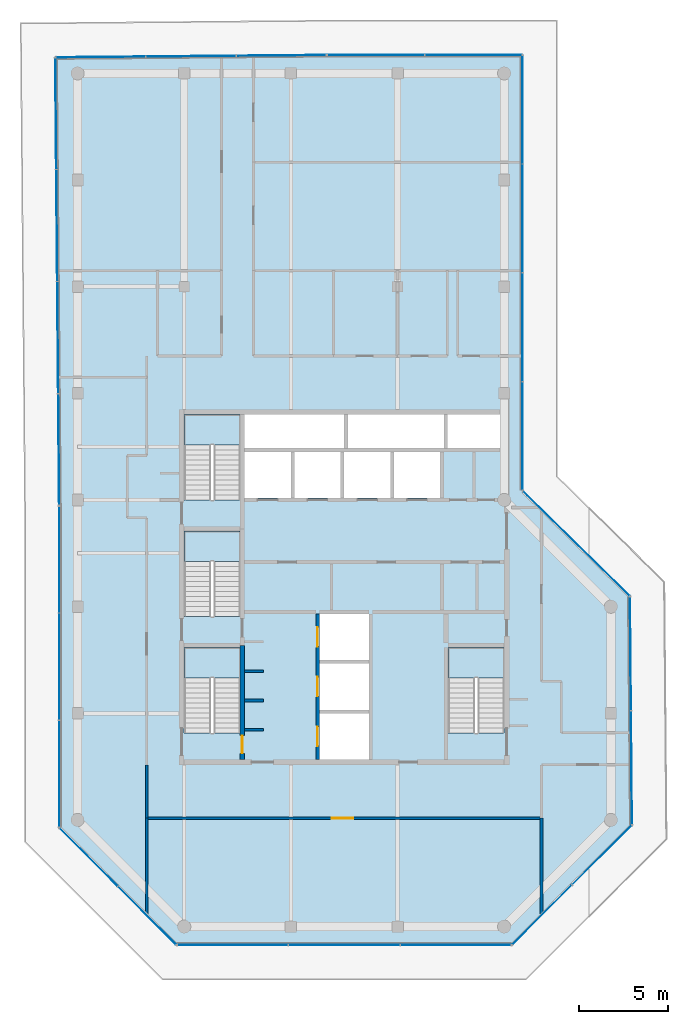
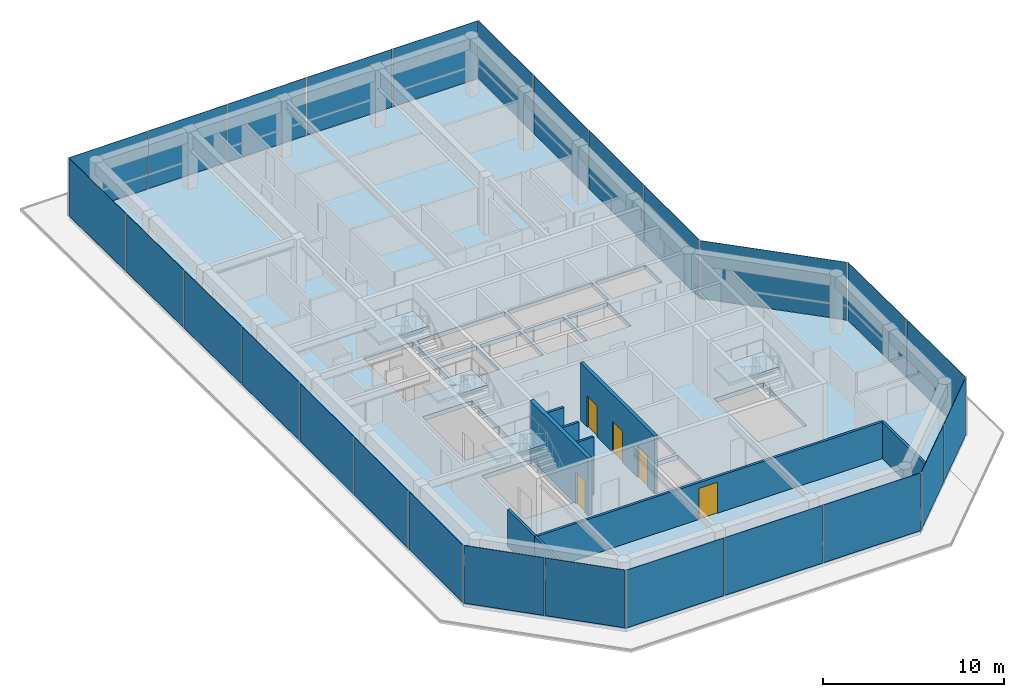
# One storey, part 16 of 21: 26 plates, 9 walls, 5 doors, 5 slabs, 5 openings, 14 elements without a shape of their own.
"""IFC4 building model written with IfcOpenShell, lengths in metres."""

from ifc_helpers import new_model, si_unit, direction, frame, frame_2d, origin, origin_2d, place, context, subcontext, project, spatial, polyline, rectangle, outline, extrude, material, layer, layer_set, type_object, element, fill, aggregate, save


model = new_model("IFC4")

# Units and contexts
model_context = context("Model", 3, precision=1e-05, world=origin(), true_north=direction((0.0, 1.0)))
body_context = subcontext(model_context, "Body", "Model", "MODEL_VIEW")
ifc_project = project(units=[si_unit("LENGTHUNIT", "METRE"), si_unit("AREAUNIT", "SQUARE_METRE"), si_unit("VOLUMEUNIT", "CUBIC_METRE"), si_unit("PLANEANGLEUNIT", "RADIAN"), si_unit("MASSUNIT", "GRAM", prefix="KILO")], contexts=[model_context])

# Site, building, storey
site_placement = place(None, origin())
site = spatial("IfcSite", under=ifc_project, at=site_placement, CompositionType="ELEMENT")
building_placement = place(site_placement, origin())
building = spatial("IfcBuilding", under=site, at=building_placement, Name="Welwitschia Terrace Campus", CompositionType="ELEMENT")
storey_placement = place(building_placement, frame((0.0, 0.0, 331.39990234375)))
storey = spatial("IfcBuildingStorey", under=building, at=storey_placement, Name="L74", CompositionType="ELEMENT", Elevation=331.39990234375)

# Curtain wall, plates
ifc_material_1 = material(Name="Bronze anodised aluminium", Category="aluminium")
ifc_layer_1 = layer(ifc_material_1, 0.10009765625)
ifc_layer_set_1 = layer_set([ifc_layer_1], Name="Bronze anodised aluminium")
curtain_wall_type = type_object("IfcCurtainWallType", Name="Curtain wall CW5 crown 6000", PredefinedType="NOTDEFINED", material=ifc_layer_set_1)
curtain_wall_1_placement = place(storey_placement, origin())
curtain_wall_1 = element("IfcCurtainWall", 1, at=curtain_wall_1_placement, inside=storey, type_object=curtain_wall_type, Name="CW L74.0.0", PredefinedType="NOTDEFINED")
ifc_material_2 = material(Name="Tinted bronze-grey glass", Category="glass")
ifc_layer_2 = layer(ifc_material_2, 0.02392578125)
ifc_layer_set_2 = layer_set([ifc_layer_2], Name="Tinted bronze-grey glass")
plate_type = type_object("IfcPlateType", Name="Glass panel 24 tinted", PredefinedType="CURTAIN_PANEL", material=ifc_layer_set_2)
plate_1_placement = place(storey_placement, frame((-1.222412109375, 41.732421875, 0.000244140625), z_axis=(0.0, 0.0, 1.0), x_axis=(0.008726535498, -0.999961923064, 0.0)))
plate_1 = element("IfcPlate", 2, at=plate_1_placement, type_object=plate_type, Name="Panel L74.0.0.0", PredefinedType="CURTAIN_PANEL", context=body_context, shape_type="SweptSolid", body=[
    extrude(rectangle(XDim=6.22900390625, YDim=0.02392578125, at=origin_2d()), origin(), (0.0, 0.0, 1.0), 3.89990234375),
])
plate_2_placement = place(storey_placement, frame((-1.16748046875, 35.441162109375, 0.000244140625), z_axis=(0.0, 0.0, 1.0), x_axis=(0.008726535498, -0.999961923064, 0.0)))
plate_2 = element("IfcPlate", 3, at=plate_2_placement, type_object=plate_type, Name="Panel L74.0.0.1", PredefinedType="CURTAIN_PANEL", context=body_context, shape_type="SweptSolid", body=[
    extrude(rectangle(XDim=6.25390625, YDim=0.02392578125, at=origin_2d()), origin(), (0.0, 0.0, 1.0), 3.89990234375),
])
plate_3_placement = place(storey_placement, frame((-1.112548828125, 29.137451171875, 0.000244140625), z_axis=(0.0, 0.0, 1.0), x_axis=(0.008726535498, -0.999961923064, 0.0)))
plate_3 = element("IfcPlate", 4, at=plate_3_placement, type_object=plate_type, Name="Panel L74.0.0.2", PredefinedType="CURTAIN_PANEL", context=body_context, shape_type="SweptSolid", body=[
    extrude(rectangle(XDim=6.25390625, YDim=0.02392578125, at=origin_2d()), origin(), (0.0, 0.0, 1.0), 3.89990234375),
])
plate_4_placement = place(storey_placement, frame((-1.0576171875, 22.84619140625, 0.000244140625), z_axis=(0.0, 0.0, 1.0), x_axis=(0.008726535498, -0.999961923064, 0.0)))
plate_4 = element("IfcPlate", 5, at=plate_4_placement, type_object=plate_type, Name="Panel L74.0.0.3", PredefinedType="CURTAIN_PANEL", context=body_context, shape_type="SweptSolid", body=[
    extrude(rectangle(XDim=6.22900390625, YDim=0.02392578125, at=origin_2d()), origin(), (0.0, 0.0, 1.0), 3.89990234375),
])
aggregate(curtain_wall_1, [plate_1, plate_2, plate_3, plate_4])

curtain_wall_2_placement = place(storey_placement, origin())
curtain_wall_2 = element("IfcCurtainWall", 6, at=curtain_wall_2_placement, inside=storey, type_object=curtain_wall_type, Name="CW L74.1.0", PredefinedType="NOTDEFINED")
plate_5_placement = place(storey_placement, frame((-1.030029296875, 16.651123046875, 0.000244140625), z_axis=(0.0, 0.0, 1.0), x_axis=(0.0, -1.0, 0.0)))
plate_5 = element("IfcPlate", 7, at=plate_5_placement, type_object=plate_type, Name="Panel L74.1.0.0", PredefinedType="CURTAIN_PANEL", context=body_context, shape_type="SweptSolid", body=[
    extrude(rectangle(XDim=5.961181640625, YDim=0.02392578125, at=origin_2d()), origin(), (0.0, 0.0, 1.0), 3.89990234375),
])
plate_6_placement = place(storey_placement, frame((-1.030029296875, 10.627685546875, 0.000244140625), z_axis=(0.0, 0.0, 1.0), x_axis=(0.0, -1.0, 0.0)))
plate_6 = element("IfcPlate", 8, at=plate_6_placement, type_object=plate_type, Name="Panel L74.1.0.1", PredefinedType="CURTAIN_PANEL", context=body_context, shape_type="SweptSolid", body=[
    extrude(rectangle(XDim=5.986083984375, YDim=0.02392578125, at=origin_2d()), origin(), (0.0, 0.0, 1.0), 3.89990234375),
])
plate_7_placement = place(storey_placement, frame((-1.030029296875, 4.60400390625, 0.000244140625), z_axis=(0.0, 0.0, 1.0), x_axis=(0.0, -1.0, 0.0)))
plate_7 = element("IfcPlate", 9, at=plate_7_placement, type_object=plate_type, Name="Panel L74.1.0.2", PredefinedType="CURTAIN_PANEL", context=body_context, shape_type="SweptSolid", body=[
    extrude(rectangle(XDim=5.961181640625, YDim=0.02392578125, at=origin_2d()), origin(), (0.0, 0.0, 1.0), 3.89990234375),
])
aggregate(curtain_wall_2, [plate_5, plate_6, plate_7])

curtain_wall_3_placement = place(storey_placement, origin())
curtain_wall_3 = element("IfcCurtainWall", 10, at=curtain_wall_3_placement, inside=storey, type_object=curtain_wall_type, Name="CW L74.2.0", PredefinedType="NOTDEFINED")
plate_8_placement = place(storey_placement, frame((0.629638671875, -0.08642578125, 0.000244140625), z_axis=(0.0, 0.0, 1.0), x_axis=(0.707106781187, -0.707106781187, 0.0)))
plate_8 = element("IfcPlate", 11, at=plate_8_placement, type_object=plate_type, Name="Panel L74.2.0.0", PredefinedType="CURTAIN_PANEL", context=body_context, shape_type="SweptSolid", body=[
    extrude(rectangle(XDim=4.59423828125, YDim=0.02392578125, at=origin_2d()), origin(), (0.0, 0.0, 1.0), 3.89990234375),
])
plate_9_placement = place(storey_placement, frame((3.91357421875, -3.370361328125, 0.000244140625), z_axis=(0.0, 0.0, 1.0), x_axis=(0.707106781187, -0.707106781187, 0.0)))
plate_9 = element("IfcPlate", 12, at=plate_9_placement, type_object=plate_type, Name="Panel L74.2.0.1", PredefinedType="CURTAIN_PANEL", context=body_context, shape_type="SweptSolid", body=[
    extrude(rectangle(XDim=4.59423828125, YDim=0.02392578125, at=origin_2d()), origin(), (0.0, 0.0, 1.0), 3.89990234375),
])
aggregate(curtain_wall_3, [plate_8, plate_9])

curtain_wall_4_placement = place(storey_placement, origin())
curtain_wall_4 = element("IfcCurtainWall", 13, at=curtain_wall_4_placement, inside=storey, type_object=curtain_wall_type, Name="CW L74.3.0", PredefinedType="NOTDEFINED")
plate_10_placement = place(storey_placement, frame((8.72802734375, -5.030029296875, 0.000244140625), z_axis=(0.0, 0.0, 1.0), x_axis=(1.0, 0.0, 0.0)))
plate_10 = element("IfcPlate", 14, at=plate_10_placement, type_object=plate_type, Name="Panel L74.3.0.0", PredefinedType="CURTAIN_PANEL", context=body_context, shape_type="SweptSolid", body=[
    extrude(rectangle(XDim=6.20947265625, YDim=0.02392578125, at=origin_2d()), origin(), (0.0, 0.0, 1.0), 3.89990234375),
])
plate_11_placement = place(storey_placement, frame((15.0, -5.030029296875, 0.000244140625), z_axis=(0.0, 0.0, 1.0), x_axis=(1.0, 0.0, 0.0)))
plate_11 = element("IfcPlate", 15, at=plate_11_placement, type_object=plate_type, Name="Panel L74.3.0.1", PredefinedType="CURTAIN_PANEL", context=body_context, shape_type="SweptSolid", body=[
    extrude(rectangle(XDim=6.234375, YDim=0.02392578125, at=origin_2d()), origin(), (0.0, 0.0, 1.0), 3.89990234375),
])
plate_12_placement = place(storey_placement, frame((21.27197265625, -5.030029296875, 0.000244140625), z_axis=(0.0, 0.0, 1.0), x_axis=(1.0, 0.0, 0.0)))
plate_12 = element("IfcPlate", 16, at=plate_12_placement, type_object=plate_type, Name="Panel L74.3.0.2", PredefinedType="CURTAIN_PANEL", context=body_context, shape_type="SweptSolid", body=[
    extrude(rectangle(XDim=6.20947265625, YDim=0.02392578125, at=origin_2d()), origin(), (0.0, 0.0, 1.0), 3.89990234375),
])
aggregate(curtain_wall_4, [plate_10, plate_11, plate_12])

curtain_wall_5_placement = place(storey_placement, origin())
curtain_wall_5 = element("IfcCurtainWall", 17, at=curtain_wall_5_placement, inside=storey, type_object=curtain_wall_type, Name="CW L74.4.0", PredefinedType="NOTDEFINED")
plate_13_placement = place(storey_placement, frame((26.125732421875, -3.333251953125, 0.000244140625), z_axis=(0.0, 0.0, 1.0), x_axis=(0.707625023867, 0.706588158404, 0.0)))
plate_13 = element("IfcPlate", 18, at=plate_13_placement, type_object=plate_type, Name="Panel L74.4.0.0", PredefinedType="CURTAIN_PANEL", context=body_context, shape_type="SweptSolid", body=[
    extrude(rectangle(XDim=4.702392578125, YDim=0.02392578125, at=origin_2d()), origin(), (0.0, 0.0, 1.0), 3.89990234375),
])
plate_14_placement = place(storey_placement, frame((29.48876953125, 0.024658203125, 0.000244140625), z_axis=(0.0, 0.0, 1.0), x_axis=(0.707625023867, 0.706588158404, 0.0)))
plate_14 = element("IfcPlate", 19, at=plate_14_placement, type_object=plate_type, Name="Panel L74.4.0.1", PredefinedType="CURTAIN_PANEL", context=body_context, shape_type="SweptSolid", body=[
    extrude(rectangle(XDim=4.702392578125, YDim=0.02392578125, at=origin_2d()), origin(), (0.0, 0.0, 1.0), 3.89990234375),
])
aggregate(curtain_wall_5, [plate_13, plate_14])

curtain_wall_6_placement = place(storey_placement, origin())
curtain_wall_6 = element("IfcCurtainWall", 20, at=curtain_wall_6_placement, inside=storey, type_object=curtain_wall_type, Name="CW L74.5.0", PredefinedType="NOTDEFINED")
plate_15_placement = place(storey_placement, frame((31.159912109375, 4.947265625, 0.000244140625), z_axis=(0.0, 0.0, 1.0), x_axis=(-0.008726535498, 0.999961923064, 0.0)))
plate_15 = element("IfcPlate", 21, at=plate_15_placement, type_object=plate_type, Name="Panel L74.5.0.0", PredefinedType="CURTAIN_PANEL", context=body_context, shape_type="SweptSolid", body=[
    extrude(rectangle(XDim=6.351806640625, YDim=0.02392578125, at=origin_2d()), origin(), (0.0, 0.0, 1.0), 3.89990234375),
])
plate_16_placement = place(storey_placement, frame((31.10400390625, 11.3486328125, 0.000244140625), z_axis=(0.0, 0.0, 1.0), x_axis=(-0.008726535498, 0.999961923064, 0.0)))
plate_16 = element("IfcPlate", 22, at=plate_16_placement, type_object=plate_type, Name="Panel L74.5.0.1", PredefinedType="CURTAIN_PANEL", context=body_context, shape_type="SweptSolid", body=[
    extrude(rectangle(XDim=6.351806640625, YDim=0.02392578125, at=origin_2d()), origin(), (0.0, 0.0, 1.0), 3.89990234375),
])
aggregate(curtain_wall_6, [plate_15, plate_16])

# Curtain wall, plate
curtain_wall_7_placement = place(storey_placement, origin())
curtain_wall_7 = element("IfcCurtainWall", 23, at=curtain_wall_7_placement, inside=storey, type_object=curtain_wall_type, Name="CW L74.6.0", PredefinedType="NOTDEFINED")
plate_17_placement = place(storey_placement, frame((28.052978515625, 17.544921875, 0.000244140625), z_axis=(0.0, 0.0, 1.0), x_axis=(-0.713250449154, 0.7009092643, 0.0)))
plate_17 = element("IfcPlate", 24, at=plate_17_placement, type_object=plate_type, Name="Panel L74.6.0.0", PredefinedType="CURTAIN_PANEL", context=body_context, shape_type="SweptSolid", body=[
    extrude(rectangle(XDim=8.37646484375, YDim=0.02392578125, at=origin_2d()), origin(), (0.0, 0.0, 1.0), 3.89990234375),
])
aggregate(curtain_wall_7, [plate_17])

# Curtain wall, plates
curtain_wall_8_placement = place(storey_placement, origin())
curtain_wall_8 = element("IfcCurtainWall", 25, at=curtain_wall_8_placement, inside=storey, type_object=curtain_wall_type, Name="CW L74.7.0", PredefinedType="NOTDEFINED")
plate_18_placement = place(storey_placement, frame((25.030029296875, 23.59228515625, 0.000244140625), z_axis=(0.0, 0.0, 1.0), x_axis=(0.0, 1.0, 0.0)))
plate_18 = element("IfcPlate", 26, at=plate_18_placement, type_object=plate_type, Name="Panel L74.7.0.0", PredefinedType="CURTAIN_PANEL", context=body_context, shape_type="SweptSolid", body=[
    extrude(rectangle(XDim=6.0537109375, YDim=0.02392578125, at=origin_2d()), origin(), (0.0, 0.0, 1.0), 3.89990234375),
])
plate_19_placement = place(storey_placement, frame((25.030029296875, 29.70849609375, 0.000244140625), z_axis=(0.0, 0.0, 1.0), x_axis=(0.0, 1.0, 0.0)))
plate_19 = element("IfcPlate", 27, at=plate_19_placement, type_object=plate_type, Name="Panel L74.7.0.1", PredefinedType="CURTAIN_PANEL", context=body_context, shape_type="SweptSolid", body=[
    extrude(rectangle(XDim=6.07861328125, YDim=0.02392578125, at=origin_2d()), origin(), (0.0, 0.0, 1.0), 3.89990234375),
])
plate_20_placement = place(storey_placement, frame((25.030029296875, 35.837158203125, 0.000244140625), z_axis=(0.0, 0.0, 1.0), x_axis=(0.0, 1.0, 0.0)))
plate_20 = element("IfcPlate", 28, at=plate_20_placement, type_object=plate_type, Name="Panel L74.7.0.2", PredefinedType="CURTAIN_PANEL", context=body_context, shape_type="SweptSolid", body=[
    extrude(rectangle(XDim=6.07861328125, YDim=0.02392578125, at=origin_2d()), origin(), (0.0, 0.0, 1.0), 3.89990234375),
])
plate_21_placement = place(storey_placement, frame((25.030029296875, 41.953125, 0.000244140625), z_axis=(0.0, 0.0, 1.0), x_axis=(0.0, 1.0, 0.0)))
plate_21 = element("IfcPlate", 29, at=plate_21_placement, type_object=plate_type, Name="Panel L74.7.0.3", PredefinedType="CURTAIN_PANEL", context=body_context, shape_type="SweptSolid", body=[
    extrude(rectangle(XDim=6.0537109375, YDim=0.02392578125, at=origin_2d()), origin(), (0.0, 0.0, 1.0), 3.89990234375),
])
aggregate(curtain_wall_8, [plate_18, plate_19, plate_20, plate_21])

curtain_wall_9_placement = place(storey_placement, origin())
curtain_wall_9 = element("IfcCurtainWall", 30, at=curtain_wall_9_placement, inside=storey, type_object=curtain_wall_type, Name="CW L74.8.0", PredefinedType="NOTDEFINED")
plate_22_placement = place(storey_placement, frame((22.26318359375, 45.030029296875, 0.000244140625), z_axis=(0.0, 0.0, 1.0), x_axis=(-1.0, 0.0, 0.0)))
plate_22 = element("IfcPlate", 31, at=plate_22_placement, type_object=plate_type, Name="Panel L74.8.0.0", PredefinedType="CURTAIN_PANEL", context=body_context, shape_type="SweptSolid", body=[
    extrude(rectangle(XDim=5.43359375, YDim=0.02392578125, at=origin_2d()), origin(), (0.0, 0.0, 1.0), 3.89990234375),
])
plate_23_placement = place(storey_placement, frame((16.779541015625, 45.030029296875, 0.000244140625), z_axis=(0.0, 0.0, 1.0), x_axis=(-1.0, 0.0, 0.0)))
plate_23 = element("IfcPlate", 32, at=plate_23_placement, type_object=plate_type, Name="Panel L74.8.0.1", PredefinedType="CURTAIN_PANEL", context=body_context, shape_type="SweptSolid", body=[
    extrude(rectangle(XDim=5.43359375, YDim=0.02392578125, at=origin_2d()), origin(), (0.0, 0.0, 1.0), 3.89990234375),
])
aggregate(curtain_wall_9, [plate_22, plate_23])

curtain_wall_10_placement = place(storey_placement, origin())
curtain_wall_10 = element("IfcCurtainWall", 33, at=curtain_wall_10_placement, inside=storey, type_object=curtain_wall_type, Name="CW L74.9.0", PredefinedType="NOTDEFINED")
plate_24_placement = place(storey_placement, frame((11.45654296875, 45.0078125, 0.000244140625), z_axis=(0.0, 0.0, 1.0), x_axis=(-0.999961923064, -0.008726535498, 0.0)))
plate_24 = element("IfcPlate", 34, at=plate_24_placement, type_object=plate_type, Name="Panel L74.9.0.0", PredefinedType="CURTAIN_PANEL", context=body_context, shape_type="SweptSolid", body=[
    extrude(rectangle(XDim=5.0126953125, YDim=0.02392578125, at=origin_2d()), origin(), (0.0, 0.0, 1.0), 3.89990234375),
])
plate_25_placement = place(storey_placement, frame((6.38134765625, 44.96337890625, 0.000244140625), z_axis=(0.0, 0.0, 1.0), x_axis=(-0.999961923064, -0.008726535498, 0.0)))
plate_25 = element("IfcPlate", 35, at=plate_25_placement, type_object=plate_type, Name="Panel L74.9.0.1", PredefinedType="CURTAIN_PANEL", context=body_context, shape_type="SweptSolid", body=[
    extrude(rectangle(XDim=5.037841796875, YDim=0.02392578125, at=origin_2d()), origin(), (0.0, 0.0, 1.0), 3.89990234375),
])
plate_26_placement = place(storey_placement, frame((1.30615234375, 44.919189453125, 0.000244140625), z_axis=(0.0, 0.0, 1.0), x_axis=(-0.999961923064, -0.008726535498, 0.0)))
plate_26 = element("IfcPlate", 36, at=plate_26_placement, type_object=plate_type, Name="Panel L74.9.0.2", PredefinedType="CURTAIN_PANEL", context=body_context, shape_type="SweptSolid", body=[
    extrude(rectangle(XDim=5.0126953125, YDim=0.02392578125, at=origin_2d()), origin(), (0.0, 0.0, 1.0), 3.89990234375),
])
aggregate(curtain_wall_10, [plate_24, plate_25, plate_26])

# Stair, slab
ifc_material_3 = material(Name="Concrete C40/50", Category="concrete")
stair_type = type_object("IfcStairType", Name="Stair 24R 175 W1500", PredefinedType="HALF_TURN_STAIR", material=ifc_material_3)
stair_1_placement = place(storey_placement, origin())
stair_1 = element("IfcStair", 37, at=stair_1_placement, inside=storey, type_object=stair_type, Name="L74 Exit stair S1", PredefinedType="HALF_TURN_STAIR")
ifc_material_4 = material(Name="Concrete C40/50", Category="concrete")
ifc_layer_3 = layer(ifc_material_4, 0.199951171875)
ifc_layer_set_3 = layer_set([ifc_layer_3], Name="Concrete C40/50")
slab_type_1 = type_object("IfcSlabType", Name="Stair landing RC", PredefinedType="LANDING", material=ifc_layer_set_3)
slab_1_placement = place(storey_placement, frame((0.0, 0.0, 1.900146484375)))
slab_1 = element("IfcSlab", 38, at=slab_1_placement, type_object=slab_type_1, Name="S1 landing 1", PredefinedType="LANDING", context=body_context, shape_type="SweptSolid", body=[
    extrude(outline(polyline([(9.14990234375, 9.97998046875), (9.14990234375, 11.699951171875), (6.0, 11.699951171875), (6.0, 9.97998046875), (9.14990234375, 9.97998046875)])), origin(), (0.0, 0.0, 1.0), 0.199951171875),
])
aggregate(stair_1, [slab_1])

stair_2_placement = place(storey_placement, origin())
stair_2 = element("IfcStair", 39, at=stair_2_placement, inside=storey, type_object=stair_type, Name="L74 Exit stair S3", PredefinedType="HALF_TURN_STAIR")
slab_2_placement = place(storey_placement, frame((0.0, 0.0, 1.900146484375)))
slab_2 = element("IfcSlab", 40, at=slab_2_placement, type_object=slab_type_1, Name="S3 landing 1", PredefinedType="LANDING", context=body_context, shape_type="SweptSolid", body=[
    extrude(outline(polyline([(9.14990234375, 16.530029296875), (9.14990234375, 18.25), (6.0, 18.25), (6.0, 16.530029296875), (9.14990234375, 16.530029296875)])), origin(), (0.0, 0.0, 1.0), 0.199951171875),
])
aggregate(stair_2, [slab_2])

stair_3_placement = place(storey_placement, origin())
stair_3 = element("IfcStair", 41, at=stair_3_placement, inside=storey, type_object=stair_type, Name="L74 Exit stair S4", PredefinedType="HALF_TURN_STAIR")
slab_3_placement = place(storey_placement, frame((0.0, 0.0, 1.900146484375)))
slab_3 = element("IfcSlab", 42, at=slab_3_placement, type_object=slab_type_1, Name="S4 landing 1", PredefinedType="LANDING", context=body_context, shape_type="SweptSolid", body=[
    extrude(outline(polyline([(9.14990234375, 23.080078125), (9.14990234375, 24.800048828125), (6.0, 24.800048828125), (6.0, 23.080078125), (9.14990234375, 23.080078125)])), origin(), (0.0, 0.0, 1.0), 0.199951171875),
])
aggregate(stair_3, [slab_3])

stair_4_placement = place(storey_placement, origin())
stair_4 = element("IfcStair", 43, at=stair_4_placement, inside=storey, type_object=stair_type, Name="L74 Exit stair S2", PredefinedType="HALF_TURN_STAIR")
slab_4_placement = place(storey_placement, frame((0.0, 0.0, 1.900146484375)))
slab_4 = element("IfcSlab", 44, at=slab_4_placement, type_object=slab_type_1, Name="S2 landing 1", PredefinedType="LANDING", context=body_context, shape_type="SweptSolid", body=[
    extrude(outline(polyline([(24.0, 9.97998046875), (24.0, 11.699951171875), (20.85009765625, 11.699951171875), (20.85009765625, 9.97998046875), (24.0, 9.97998046875)])), origin(), (0.0, 0.0, 1.0), 0.199951171875),
])
aggregate(stair_4, [slab_4])

# Slab
ifc_material_5 = material(Name="Concrete C40/50", Category="concrete")
ifc_layer_4 = layer(ifc_material_5, 0.300048828125)
ifc_layer_set_4 = layer_set([ifc_layer_4], Name="Concrete C40/50")
slab_type_2 = type_object("IfcSlabType", Name="Suspended floor slab 300", PredefinedType="FLOOR", material=ifc_layer_set_4)
slab_5_placement = place(storey_placement, frame((0.0, 0.0, -0.2998046875)))
element("IfcSlab", 45, at=slab_5_placement, inside=storey, type_object=slab_type_2, Name="Floor slab L74", PredefinedType="FLOOR", context=body_context, shape_type="SweptSolid", body=[
    extrude(outline(polyline([(14.012939453125, 45.0), (25.0, 45.0), (25.0, 20.5029296875), (31.0458984375, 14.561767578125), (31.157958984375, 1.733642578125), (24.414306640625, -5.0), (5.585693359375, -5.0), (-1.0, 1.585693359375), (-1.0, 19.681884765625), (-1.2197265625, 44.8671875), (14.012939453125, 45.0)]), holes=[polyline([(13.60009765625, 8.0), (13.60009765625, 5.39990234375), (16.39990234375, 5.39990234375), (16.39990234375, 8.0), (13.60009765625, 8.0)]), polyline([(9.14990234375, 11.699951171875), (6.0, 11.699951171875), (6.0, 6.902099609375), (9.14990234375, 6.902099609375), (9.14990234375, 11.699951171875)]), polyline([(9.14990234375, 18.25), (6.0, 18.25), (6.0, 13.451904296875), (9.14990234375, 13.451904296875), (9.14990234375, 18.25)]), polyline([(12.0, 22.699951171875), (9.39990234375, 22.699951171875), (9.39990234375, 20.10009765625), (12.0, 20.10009765625), (12.0, 22.699951171875)]), polyline([(14.800048828125, 22.699951171875), (12.199951171875, 22.699951171875), (12.199951171875, 20.10009765625), (14.800048828125, 20.10009765625), (14.800048828125, 22.699951171875)]), polyline([(9.14990234375, 24.800048828125), (6.0, 24.800048828125), (6.0, 20.001953125), (9.14990234375, 20.001953125), (9.14990234375, 24.800048828125)]), polyline([(15.0, 24.800048828125), (9.39990234375, 24.800048828125), (9.39990234375, 22.89990234375), (15.0, 22.89990234375), (15.0, 24.800048828125)]), polyline([(20.85009765625, 11.699951171875), (20.85009765625, 6.902099609375), (24.0, 6.902099609375), (24.0, 11.699951171875), (20.85009765625, 11.699951171875)]), polyline([(16.39990234375, 10.800048828125), (13.60009765625, 10.800048828125), (13.60009765625, 8.199951171875), (16.39990234375, 8.199951171875), (16.39990234375, 10.800048828125)]), polyline([(16.39990234375, 13.60009765625), (13.60009765625, 13.60009765625), (13.60009765625, 11.0), (16.39990234375, 11.0), (16.39990234375, 13.60009765625)]), polyline([(17.60009765625, 22.699951171875), (15.0, 22.699951171875), (15.0, 20.10009765625), (17.60009765625, 20.10009765625), (17.60009765625, 22.699951171875)]), polyline([(20.39990234375, 22.699951171875), (17.800048828125, 22.699951171875), (17.800048828125, 20.10009765625), (20.39990234375, 20.10009765625), (20.39990234375, 22.699951171875)]), polyline([(20.60009765625, 24.800048828125), (15.199951171875, 24.800048828125), (15.199951171875, 22.89990234375), (20.60009765625, 22.89990234375), (20.60009765625, 24.800048828125)]), polyline([(24.0, 24.800048828125), (20.800048828125, 24.800048828125), (20.800048828125, 22.89990234375), (24.0, 22.89990234375), (24.0, 24.800048828125)])]), origin(), (0.0, 0.0, 1.0), 0.2998046875),
])

# Walls
ifc_material_6 = material(Name="Concrete C50/60", Category="concrete")
ifc_layer_5 = layer(ifc_material_6, 0.14990234375)
ifc_layer_set_5 = layer_set([ifc_layer_5], Name="Concrete C50/60")
wall_type_1 = type_object("IfcWallType", Name="Core wall 150 Concrete C50/60", PredefinedType="SHEAR", material=ifc_layer_set_5)
for number, where, z_axis, x_axis, name in (
    (46, (9.39990234375, 7.074951171875, 0.0), (0.0, 0.0, 1.0), (1.0, 0.0, 0.0), "Core wall"),
    (47, (9.39990234375, 8.72509765625, 0.0), (0.0, 0.0, 1.0), (1.0, 0.0, 0.0), "Core wall"),
    (48, (9.39990234375, 10.375, 0.0), (0.0, 0.0, 1.0), (1.0, 0.0, 0.0), "Core wall"),
):
    element("IfcWall", number, at=place(storey_placement, frame(where, z_axis=z_axis, x_axis=x_axis)), inside=storey, type_object=wall_type_1, Name=name, PredefinedType="SHEAR", context=body_context, shape_type="SweptSolid", body=[
        extrude(rectangle(XDim=1.050048828125, YDim=0.14990234375, at=frame_2d((0.52490234375, 0.0))), origin(), (0.0, 0.0, 1.0), 3.900146484375),
    ])

# Wall, openings, doors
ifc_material_7 = material(Name="Concrete C50/60", Category="concrete")
ifc_layer_6 = layer(ifc_material_7, 0.199951171875)
ifc_layer_set_6 = layer_set([ifc_layer_6], Name="Concrete C50/60")
wall_type_2 = type_object("IfcWallType", Name="Core wall 200 Concrete C50/60", PredefinedType="SHEAR", material=ifc_layer_set_6)
wall_1_placement = place(storey_placement, frame((13.5, 5.39990234375, 0.0), z_axis=(0.0, 0.0, 1.0), x_axis=(0.0, 1.0, 0.0)))
wall_1 = element("IfcWall", 49, at=wall_1_placement, inside=storey, type_object=wall_type_2, Name="Core wall", PredefinedType="SHEAR", context=body_context, shape_type="SweptSolid", body=[
    extrude(rectangle(XDim=8.2001953125, YDim=0.199951171875, at=frame_2d((4.10009765625, 0.0))), origin(), (0.0, 0.0, 1.0), 3.900146484375),
])
opening_1_placement = place(wall_1_placement, frame((0.75, 0.0, 0.0)))
opening_1 = element("IfcOpeningElement", 50, at=opening_1_placement, cuts=wall_1, Name="Opening LD", PredefinedType="OPENING", context=body_context, shape_type="SweptSolid", body=[
    extrude(rectangle(XDim=1.10009765625, YDim=2.10009765625, at=frame_2d((0.550048828125, 1.050048828125))), frame((0.0, 0.10986328125, 0.0), z_axis=(0.0, -1.0, 0.0), x_axis=(1.0, 0.0, 0.0)), (0.0, 0.0, 1.0), 0.219970703125),
])
opening_2_placement = place(wall_1_placement, frame((3.550048828125, 0.0, 0.0)))
opening_2 = element("IfcOpeningElement", 51, at=opening_2_placement, cuts=wall_1, Name="Opening LD", PredefinedType="OPENING", context=body_context, shape_type="SweptSolid", body=[
    extrude(rectangle(XDim=1.10009765625, YDim=2.10009765625, at=frame_2d((0.550048828125, 1.050048828125))), frame((0.0, 0.10986328125, 0.0), z_axis=(0.0, -1.0, 0.0), x_axis=(1.0, 0.0, 0.0)), (0.0, 0.0, 1.0), 0.219970703125),
])
opening_3_placement = place(wall_1_placement, frame((6.35009765625, 0.0, 0.0)))
opening_3 = element("IfcOpeningElement", 52, at=opening_3_placement, cuts=wall_1, Name="Opening LD", PredefinedType="OPENING", context=body_context, shape_type="SweptSolid", body=[
    extrude(rectangle(XDim=1.10009765625, YDim=2.10009765625, at=frame_2d((0.550048828125, 1.050048828125))), frame((0.0, 0.10986328125, 0.0), z_axis=(0.0, -1.0, 0.0), x_axis=(1.0, 0.0, 0.0)), (0.0, 0.0, 1.0), 0.219970703125),
])
ifc_material_8 = material(Name="Stainless steel 304", Category="steel")
door_type_1 = type_object("IfcDoorType", Name="Lift landing door", OperationType="DOUBLE_DOOR_SLIDING", PredefinedType="DOOR", material=ifc_material_8)
door_1_placement = place(opening_1_placement, origin())
door_1 = element("IfcDoor", 53, at=door_1_placement, inside=storey, type_object=door_type_1, Name="Landing door FF1", OperationType="DOUBLE_DOOR_SLIDING", OverallHeight=2.10009765625, OverallWidth=1.10009765625, PredefinedType="DOOR", context=body_context, shape_type="SweptSolid", body=[
    extrude(rectangle(XDim=1.10009765625, YDim=2.10009765625, at=frame_2d((0.550048828125, 1.050048828125))), frame((0.0, 0.02490234375, 0.0), z_axis=(0.0, -1.0, 0.0), x_axis=(1.0, 0.0, 0.0)), (0.0, 0.0, 1.0), 0.050048828125),
])
fill(opening_1, door_1)
door_2_placement = place(opening_2_placement, origin())
door_2 = element("IfcDoor", 54, at=door_2_placement, inside=storey, type_object=door_type_1, Name="Landing door FF2", OperationType="DOUBLE_DOOR_SLIDING", OverallHeight=2.10009765625, OverallWidth=1.10009765625, PredefinedType="DOOR", context=body_context, shape_type="SweptSolid", body=[
    extrude(rectangle(XDim=1.10009765625, YDim=2.10009765625, at=frame_2d((0.550048828125, 1.050048828125))), frame((0.0, 0.02490234375, 0.0), z_axis=(0.0, -1.0, 0.0), x_axis=(1.0, 0.0, 0.0)), (0.0, 0.0, 1.0), 0.050048828125),
])
fill(opening_2, door_2)
door_3_placement = place(opening_3_placement, origin())
door_3 = element("IfcDoor", 55, at=door_3_placement, inside=storey, type_object=door_type_1, Name="Landing door SV1", OperationType="DOUBLE_DOOR_SLIDING", OverallHeight=2.10009765625, OverallWidth=1.10009765625, PredefinedType="DOOR", context=body_context, shape_type="SweptSolid", body=[
    extrude(rectangle(XDim=1.10009765625, YDim=2.10009765625, at=frame_2d((0.550048828125, 1.050048828125))), frame((0.0, 0.02490234375, 0.0), z_axis=(0.0, -1.0, 0.0), x_axis=(1.0, 0.0, 0.0)), (0.0, 0.0, 1.0), 0.050048828125),
])
fill(opening_3, door_3)

# Wall, opening, door
ifc_material_9 = material(Name="Concrete C50/60", Category="concrete")
ifc_layer_7 = layer(ifc_material_9, 0.25)
ifc_layer_set_7 = layer_set([ifc_layer_7], Name="Concrete C50/60")
wall_type_3 = type_object("IfcWallType", Name="Core wall 250 Concrete C50/60", PredefinedType="SHEAR", material=ifc_layer_set_7)
wall_2_placement = place(storey_placement, frame((9.27490234375, 11.824951171875, 0.0), z_axis=(0.0, 0.0, 1.0), x_axis=(0.0, -1.0, 0.0)))
wall_2 = element("IfcWall", 56, at=wall_2_placement, inside=storey, type_object=wall_type_3, Name="Core wall", PredefinedType="SHEAR", context=body_context, shape_type="SweptSolid", body=[
    extrude(rectangle(XDim=6.425048828125, YDim=0.25, at=frame_2d((3.21240234375, 0.0))), origin(), (0.0, 0.0, 1.0), 3.900146484375),
])
opening_4_placement = place(wall_2_placement, frame((5.074951171875, 0.0, 0.0)))
opening_4 = element("IfcOpeningElement", 57, at=opening_4_placement, cuts=wall_2, Name="Opening DS10", PredefinedType="OPENING", context=body_context, shape_type="SweptSolid", body=[
    extrude(rectangle(XDim=1.0, YDim=2.10009765625, at=frame_2d((0.5, 1.050048828125))), frame((0.0, 0.135009765625, 0.0), z_axis=(0.0, -1.0, 0.0), x_axis=(1.0, 0.0, 0.0)), (0.0, 0.0, 1.0), 0.27001953125),
])
ifc_material_10 = material(Name="Steel S275", Category="steel")
door_type_2 = type_object("IfcDoorType", Name="Core door DS10", OperationType="SINGLE_SWING_LEFT", PredefinedType="DOOR", material=ifc_material_10)
door_4_placement = place(opening_4_placement, origin())
door_4 = element("IfcDoor", 58, at=door_4_placement, inside=storey, type_object=door_type_2, Name="Door S1-FL", OperationType="SINGLE_SWING_RIGHT", OverallHeight=2.10009765625, OverallWidth=1.0, PredefinedType="DOOR", context=body_context, shape_type="SweptSolid", body=[
    extrude(rectangle(XDim=1.0, YDim=2.10009765625, at=frame_2d((0.5, 1.050048828125))), frame((0.0, 0.02490234375, 0.0), z_axis=(0.0, -1.0, 0.0), x_axis=(1.0, 0.0, 0.0)), (0.0, 0.0, 1.0), 0.050048828125),
])
fill(opening_4, door_4)

# Walls
ifc_material_11 = material(Name="Gypsum board on steel studs", Category="steel")
ifc_layer_8 = layer(ifc_material_11, 0.14990234375)
ifc_layer_set_8 = layer_set([ifc_layer_8], Name="Gypsum board on steel studs")
wall_type_4 = type_object("IfcWallType", Name="Corridor partition 150 EI 30", PredefinedType="PARTITIONING", material=ifc_layer_set_8)
wall_3_placement = place(storey_placement, frame((3.89990234375, -3.2900390625, 0.0), z_axis=(0.0, 0.0, 1.0), x_axis=(0.0, 1.0, 0.0)))
element("IfcWall", 59, at=wall_3_placement, inside=storey, type_object=wall_type_4, Name="Partition", PredefinedType="PARTITIONING", context=body_context, shape_type="SweptSolid", body=[
    extrude(rectangle(XDim=5.39013671875, YDim=0.14990234375, at=frame_2d((2.695068359375, 0.0))), origin(), (0.0, 0.0, 1.0), 2.47998046875),
])
wall_4_placement = place(storey_placement, frame((3.89990234375, 2.10009765625, 0.0), z_axis=(0.0, 0.0, 1.0), x_axis=(0.0, 1.0, 0.0)))
element("IfcWall", 60, at=wall_4_placement, inside=storey, type_object=wall_type_4, Name="Partition", PredefinedType="PARTITIONING", context=body_context, shape_type="SweptSolid", body=[
    extrude(rectangle(XDim=3.0, YDim=0.14990234375, at=frame_2d((1.5, 0.0))), origin(), (0.0, 0.0, 1.0), 2.47998046875),
])
wall_5_placement = place(storey_placement, frame((26.10009765625, -3.2900390625, 0.0), z_axis=(0.0, 0.0, 1.0), x_axis=(0.0, 1.0, 0.0)))
element("IfcWall", 61, at=wall_5_placement, inside=storey, type_object=wall_type_4, Name="Partition", PredefinedType="PARTITIONING", context=body_context, shape_type="SweptSolid", body=[
    extrude(rectangle(XDim=5.39013671875, YDim=0.14990234375, at=frame_2d((2.695068359375, 0.0))), origin(), (0.0, 0.0, 1.0), 2.47998046875),
])

# Wall, opening, door
wall_6_placement = place(storey_placement, frame((26.10009765625, 2.10009765625, 0.0), z_axis=(0.0, 0.0, 1.0), x_axis=(-1.0, 0.0, 0.0)))
wall_6 = element("IfcWall", 62, at=wall_6_placement, inside=storey, type_object=wall_type_4, Name="Partition", PredefinedType="PARTITIONING", context=body_context, shape_type="SweptSolid", body=[
    extrude(rectangle(XDim=22.2001953125, YDim=0.14990234375, at=frame_2d((11.10009765625, 0.0))), origin(), (0.0, 0.0, 1.0), 2.47998046875),
])
opening_5_placement = place(wall_6_placement, frame((10.60009765625, 0.0, 0.0)))
opening_5 = element("IfcOpeningElement", 63, at=opening_5_placement, cuts=wall_6, Name="Opening DI12", PredefinedType="OPENING", context=body_context, shape_type="SweptSolid", body=[
    extrude(rectangle(XDim=1.199951171875, YDim=2.10009765625, at=frame_2d((0.60009765625, 1.050048828125))), frame((0.0, 0.0849609375, 0.0), z_axis=(0.0, -1.0, 0.0), x_axis=(1.0, 0.0, 0.0)), (0.0, 0.0, 1.0), 0.169921875),
])
ifc_material_12 = material(Name="Timber veneered door", Category="wood")
door_type_3 = type_object("IfcDoorType", Name="Interior door DI12", OperationType="NOTDEFINED", PredefinedType="DOOR", material=ifc_material_12)
door_5_placement = place(opening_5_placement, origin())
door_5 = element("IfcDoor", 64, at=door_5_placement, inside=storey, type_object=door_type_3, Name="Door L74 1287", OperationType="SINGLE_SWING_RIGHT", OverallHeight=2.10009765625, OverallWidth=1.199951171875, PredefinedType="DOOR", context=body_context, shape_type="SweptSolid", body=[
    extrude(rectangle(XDim=1.199951171875, YDim=2.10009765625, at=frame_2d((0.60009765625, 1.050048828125))), frame((0.0, 0.02490234375, 0.0), z_axis=(0.0, -1.0, 0.0), x_axis=(1.0, 0.0, 0.0)), (0.0, 0.0, 1.0), 0.050048828125),
])
fill(opening_5, door_5)

save(model, "model.ifc")
